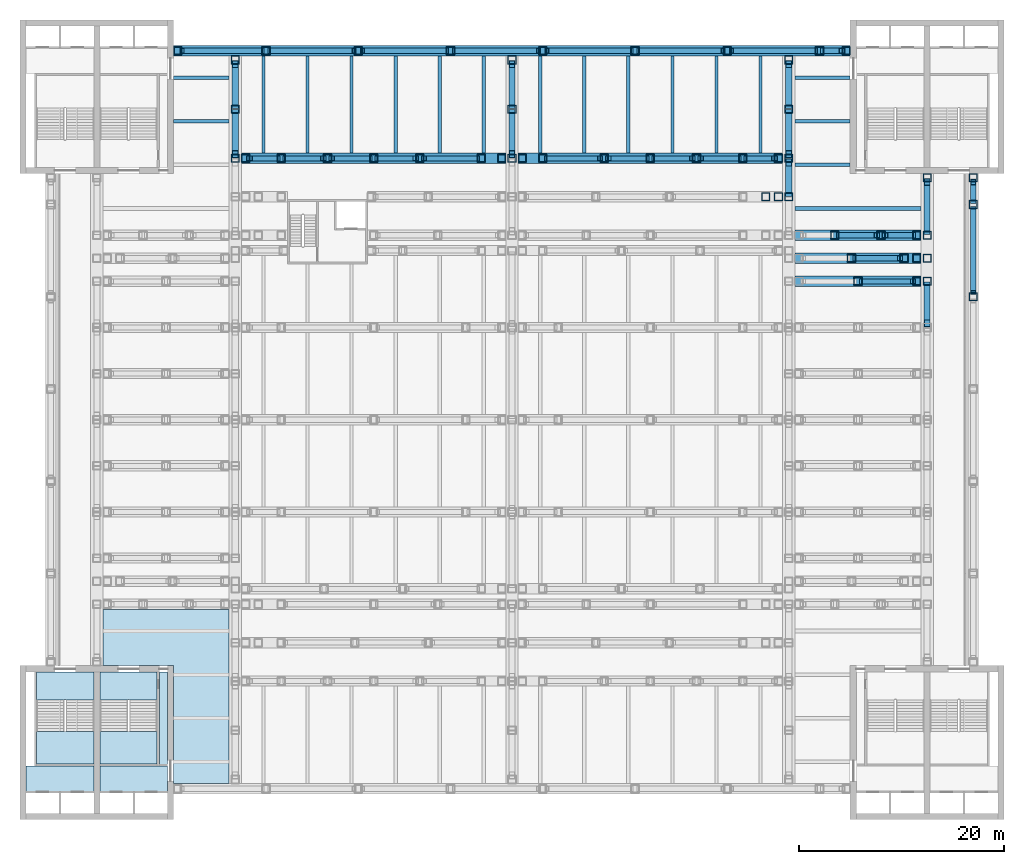
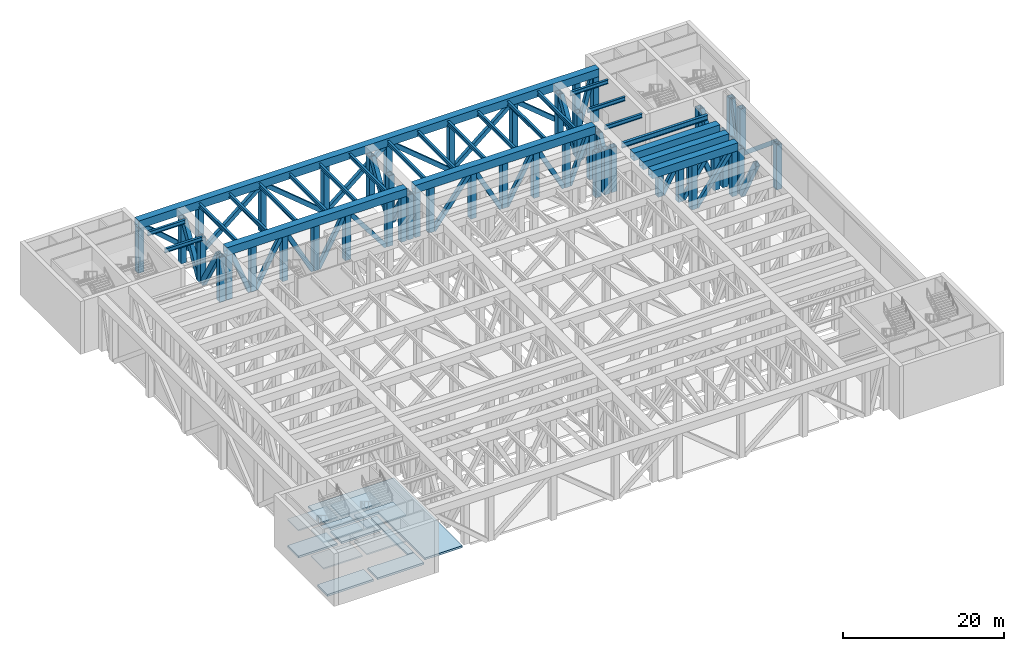
# One storey, part 5 of 20: 89 members, 18 beams, 12 slabs, 2 elements without a shape of their own.
"""IFC4 building model written with IfcOpenShell, lengths in metres."""

from ifc_helpers import new_model, si_unit, direction, frame, origin, origin_2d, place, context, subcontext, project, spatial, polyline, hollow_rectangle, i_section, outline, extrude, material, layer, layer_set, material_profile, profile_set, type_object, element, aggregate, save


model = new_model("IFC4")

# Units and contexts
model_context = context("Model", 3, precision=1e-05, world=origin(), true_north=direction((0.0, 1.0)))
body_context = subcontext(model_context, "Body", "Model", "MODEL_VIEW")
ifc_project = project(units=[si_unit("LENGTHUNIT", "METRE"), si_unit("AREAUNIT", "SQUARE_METRE"), si_unit("VOLUMEUNIT", "CUBIC_METRE"), si_unit("PLANEANGLEUNIT", "RADIAN"), si_unit("MASSUNIT", "GRAM", prefix="KILO")], contexts=[model_context])

# Site, building, storey
site_placement = place(None, origin())
site = spatial("IfcSite", under=ifc_project, at=site_placement, CompositionType="ELEMENT")
building_placement = place(site_placement, origin())
building = spatial("IfcBuilding", under=site, at=building_placement, Name="Corbelhall Arena Tower", CompositionType="ELEMENT")
storey_placement = place(building_placement, frame((0.0, 0.0, 44.0)))
storey = spatial("IfcBuildingStorey", under=building, at=storey_placement, Name="L06", CompositionType="ELEMENT", Elevation=44.0)

# Beams
ifc_material_1 = material(Name="Steel ASTM A992 Gr50", Category="steel")
ifc_material_profile_1 = material_profile(ifc_material_1, i_section(OverallWidth=0.323974609375, OverallDepth=0.611083984375, WebThickness=0.0126953125, FlangeThickness=0.01904296875, at=origin_2d()))
ifc_profile_set_1 = profile_set([ifc_material_profile_1], Name="Steel ASTM A992 Gr50")
beam_type_1 = type_object("IfcBeamType", Name="PO-BEAM-W24X104", PredefinedType="BEAM", material=ifc_profile_set_1)
for number, where, z_axis, x_axis, name in (
    (1, (-33.0, 29.125, 7.39453125), (1.0, 0.0, 0.0), (0.0, 1.0, 0.0), "DECK BEAM MID 13.3"),
    (2, (-33.0, 33.375, 7.39453125), (1.0, 0.0, 0.0), (0.0, 1.0, 0.0), "DECK BEAM MID 13.4"),
):
    element("IfcBeam", number, at=place(storey_placement, frame(where, z_axis=z_axis, x_axis=x_axis)), inside=storey, type_object=beam_type_1, Name=name, PredefinedType="BEAM", context=body_context, shape_type="SweptSolid", body=[
        extrude(i_section(OverallWidth=0.323974609375, OverallDepth=0.611083984375, WebThickness=0.0126953125, FlangeThickness=0.01904296875, at=origin_2d()), origin(), (0.0, 0.0, 1.0), 5.39990234375),
    ])
for number, where, z_axis, x_axis, name in (
    (3, (-24.25, 26.0, 7.39453125), (0.0, 1.0, 0.0), (-1.0, 0.0, 0.0), "DECK BEAM MID 24.1"),
    (4, (-19.949951171875, 26.0, 7.39453125), (0.0, 1.0, 0.0), (-1.0, 0.0, 0.0), "DECK BEAM MID 24.2"),
    (5, (-15.64990234375, 26.0, 7.39453125), (0.0, 1.0, 0.0), (-1.0, 0.0, 0.0), "DECK BEAM MID 24.3"),
    (6, (-11.35009765625, 26.0, 7.39453125), (0.0, 1.0, 0.0), (-1.0, 0.0, 0.0), "DECK BEAM MID 24.4"),
    (7, (-7.050048828125, 26.0, 7.39453125), (0.0, 1.0, 0.0), (-1.0, 0.0, 0.0), "DECK BEAM MID 24.5"),
    (8, (-2.75, 26.0, 7.39453125), (0.0, 1.0, 0.0), (-1.0, 0.0, 0.0), "DECK BEAM MID 24.6"),
    (9, (2.75, 26.0, 7.39453125), (0.0, 1.0, 0.0), (-1.0, 0.0, 0.0), "DECK BEAM MID 39.1"),
    (10, (7.050048828125, 26.0, 7.39453125), (0.0, 1.0, 0.0), (-1.0, 0.0, 0.0), "DECK BEAM MID 39.2"),
    (11, (11.35009765625, 26.0, 7.39453125), (0.0, 1.0, 0.0), (-1.0, 0.0, 0.0), "DECK BEAM MID 39.3"),
    (12, (15.64990234375, 26.0, 7.39453125), (0.0, 1.0, 0.0), (-1.0, 0.0, 0.0), "DECK BEAM MID 39.4"),
    (13, (19.949951171875, 26.0, 7.39453125), (0.0, 1.0, 0.0), (-1.0, 0.0, 0.0), "DECK BEAM MID 39.5"),
    (14, (24.25, 26.0, 7.39453125), (0.0, 1.0, 0.0), (-1.0, 0.0, 0.0), "DECK BEAM MID 39.6"),
):
    element("IfcBeam", number, at=place(storey_placement, frame(where, z_axis=z_axis, x_axis=x_axis)), inside=storey, type_object=beam_type_1, Name=name, PredefinedType="BEAM", context=body_context, shape_type="SweptSolid", body=[
        extrude(i_section(OverallWidth=0.323974609375, OverallDepth=0.611083984375, WebThickness=0.0126953125, FlangeThickness=0.01904296875, at=origin_2d()), origin(), (0.0, 0.0, 1.0), 9.5),
    ])
for number, where, z_axis, x_axis, name in (
    (15, (27.60009765625, 24.875, 7.39453125), (1.0, 0.0, 0.0), (0.0, 1.0, 0.0), "DECK BEAM MID 41.2"),
    (16, (27.60009765625, 29.125, 7.39453125), (1.0, 0.0, 0.0), (0.0, 1.0, 0.0), "DECK BEAM MID 41.3"),
    (17, (27.60009765625, 33.375, 7.39453125), (1.0, 0.0, 0.0), (0.0, 1.0, 0.0), "DECK BEAM MID 41.4"),
):
    element("IfcBeam", number, at=place(storey_placement, frame(where, z_axis=z_axis, x_axis=x_axis)), inside=storey, type_object=beam_type_1, Name=name, PredefinedType="BEAM", context=body_context, shape_type="SweptSolid", body=[
        extrude(i_section(OverallWidth=0.323974609375, OverallDepth=0.611083984375, WebThickness=0.0126953125, FlangeThickness=0.01904296875, at=origin_2d()), origin(), (0.0, 0.0, 1.0), 5.39990234375),
    ])
ifc_material_profile_2 = material_profile(ifc_material_1, i_section(OverallWidth=0.381103515625, OverallDepth=0.77294921875, WebThickness=0.0166015625, FlangeThickness=0.027099609375, at=origin_2d()))
ifc_profile_set_2 = profile_set([ifc_material_profile_2], Name="Steel ASTM A992 Gr50")
beam_type_2 = type_object("IfcBeamType", Name="PO-BEAM-W30X173", PredefinedType="BEAM", material=ifc_profile_set_2)
beam_placement = place(storey_placement, frame((27.60009765625, 20.625, 7.3134765625), z_axis=(1.0, 0.0, 0.0), x_axis=(0.0, 1.0, 0.0)))
element("IfcBeam", 18, at=beam_placement, inside=storey, type_object=beam_type_2, Name="DECK BEAM MID 41.1", PredefinedType="BEAM", context=body_context, shape_type="SweptSolid", body=[
    extrude(i_section(OverallWidth=0.381103515625, OverallDepth=0.77294921875, WebThickness=0.0166015625, FlangeThickness=0.027099609375, at=origin_2d()), origin(), (0.0, 0.0, 1.0), 12.2998046875),
])

# Members
ifc_material_2 = material(Name="Steel ASTM A572 Gr50", Category="steel")
ifc_material_profile_3 = material_profile(ifc_material_2, hollow_rectangle(XDim=0.5, YDim=0.60009765625, WallThickness=0.030029296875, at=origin_2d()))
ifc_profile_set_3 = profile_set([ifc_material_profile_3], Name="Steel ASTM A572 Gr50")
member_type_1 = type_object("IfcMemberType", Name="PO-BRACE-600X500X30", PredefinedType="BRACE", material=ifc_profile_set_3)
member_1_placement = place(storey_placement, frame((-32.199951171875, 36.0, 6.800048828125), z_axis=(0.753772430258, 0.0, -0.657135544148), x_axis=(0.0, 1.0, 0.0)))
element("IfcMember", 19, at=member_1_placement, inside=storey, type_object=member_type_1, Name="TRUSS EDGE-N BRACE 1.1", PredefinedType="BRACE", context=body_context, shape_type="SweptSolid", body=[
    extrude(hollow_rectangle(XDim=0.5, YDim=0.60009765625, WallThickness=0.030029296875, at=origin_2d()), origin(), (0.0, 0.0, 1.0), 10.347900390625),
])
for number, where, z_axis, x_axis, name in (
    (20, (-23.60009765625, 36.0, 0.0), (0.769763178873, 0.0, 0.638329576669), (0.0, 1.0, 0.0), "TRUSS EDGE-N BRACE 1.2"),
    (21, (-14.60009765625, 36.0, 6.800048828125), (0.769763178873, 0.0, -0.638329576669), (0.0, 1.0, 0.0), "TRUSS EDGE-N BRACE 1.3"),
    (22, (-5.60009765625, 36.0, 0.0), (0.769763178873, 0.0, 0.638329576669), (0.0, 1.0, 0.0), "TRUSS EDGE-N BRACE 1.4"),
    (23, (3.39990234375, 36.0, 6.800048828125), (0.769763178873, 0.0, -0.638329576669), (0.0, 1.0, 0.0), "TRUSS EDGE-N BRACE 1.5"),
    (24, (12.39990234375, 36.0, 0.0), (0.769763178873, 0.0, 0.638329576669), (0.0, 1.0, 0.0), "TRUSS EDGE-N BRACE 1.6"),
    (25, (21.39990234375, 36.0, 6.800048828125), (0.769763178873, 0.0, -0.638329576669), (0.0, 1.0, 0.0), "TRUSS EDGE-N BRACE 1.7"),
):
    element("IfcMember", number, at=place(storey_placement, frame(where, z_axis=z_axis, x_axis=x_axis)), inside=storey, type_object=member_type_1, Name=name, PredefinedType="BRACE", context=body_context, shape_type="SweptSolid", body=[
        extrude(hollow_rectangle(XDim=0.5, YDim=0.60009765625, WallThickness=0.030029296875, at=origin_2d()), origin(), (0.0, 0.0, 1.0), 10.65283203125),
    ])
member_2_placement = place(storey_placement, frame((30.39990234375, 36.0, 0.0), z_axis=(0.255897330119, 0.0, 0.966703965254), x_axis=(0.0, 1.0, 0.0)))
element("IfcMember", 26, at=member_2_placement, inside=storey, type_object=member_type_1, Name="TRUSS EDGE-N BRACE 1.8", PredefinedType="BRACE", context=body_context, shape_type="SweptSolid", body=[
    extrude(hollow_rectangle(XDim=0.5, YDim=0.60009765625, WallThickness=0.030029296875, at=origin_2d()), origin(), (0.0, 0.0, 1.0), 7.0341796875),
])
member_3_placement = place(storey_placement, frame((45.0, 12.39990234375, 6.800048828125), z_axis=(0.0, 0.769763178873, -0.638329576669), x_axis=(-1.0, 0.0, 0.0)))
element("IfcMember", 27, at=member_3_placement, inside=storey, type_object=member_type_1, Name="TRUSS EDGE-E BRACE 1.5", PredefinedType="BRACE", context=body_context, shape_type="SweptSolid", body=[
    extrude(hollow_rectangle(XDim=0.5, YDim=0.60009765625, WallThickness=0.030029296875, at=origin_2d()), origin(), (0.0, 0.0, 1.0), 10.65283203125),
])
member_4_placement = place(storey_placement, frame((45.0, 21.39990234375, 0.0), z_axis=(0.0, 0.255897330119, 0.966703965254), x_axis=(-1.0, 0.0, 0.0)))
element("IfcMember", 28, at=member_4_placement, inside=storey, type_object=member_type_1, Name="TRUSS EDGE-E BRACE 1.6", PredefinedType="BRACE", context=body_context, shape_type="SweptSolid", body=[
    extrude(hollow_rectangle(XDim=0.5, YDim=0.60009765625, WallThickness=0.030029296875, at=origin_2d()), origin(), (0.0, 0.0, 1.0), 7.0341796875),
])
member_5_placement = place(storey_placement, frame((34.14990234375, 13.5, 0.0), z_axis=(0.588537525925, 0.0, 0.808469900848), x_axis=(0.0, 1.0, 0.0)))
element("IfcMember", 29, at=member_5_placement, inside=storey, type_object=member_type_1, Name="TRUSS SEC-N13.50-3 BRACE 1.2", PredefinedType="BRACE", context=body_context, shape_type="SweptSolid", body=[
    extrude(hollow_rectangle(XDim=0.5, YDim=0.60009765625, WallThickness=0.030029296875, at=origin_2d()), origin(), (0.0, 0.0, 1.0), 8.410888671875),
])
member_6_placement = place(storey_placement, frame((33.52490234375, 15.75, 0.0), z_axis=(0.536689259852, 0.0, 0.843779970347), x_axis=(0.0, 1.0, 0.0)))
element("IfcMember", 30, at=member_6_placement, inside=storey, type_object=member_type_1, Name="TRUSS SEC-N15.75-3 BRACE 1.2", PredefinedType="BRACE", context=body_context, shape_type="SweptSolid", body=[
    extrude(hollow_rectangle(XDim=0.5, YDim=0.60009765625, WallThickness=0.030029296875, at=origin_2d()), origin(), (0.0, 0.0, 1.0), 8.05908203125),
])
member_7_placement = place(storey_placement, frame((31.89990234375, 18.0, 0.0), z_axis=(0.477963647565, 0.0, 0.878379617026), x_axis=(0.0, 1.0, 0.0)))
element("IfcMember", 31, at=member_7_placement, inside=storey, type_object=member_type_1, Name="TRUSS SEC-N18.00-3 BRACE 1.2", PredefinedType="BRACE", context=body_context, shape_type="SweptSolid", body=[
    extrude(hollow_rectangle(XDim=0.5, YDim=0.60009765625, WallThickness=0.030029296875, at=origin_2d()), origin(), (0.0, 0.0, 1.0), 7.74169921875),
])
for number, where, z_axis, x_axis, name in (
    (32, (36.39990234375, 18.0, 6.800048828125), (0.369053718093, 0.0, -0.929408066008), (0.0, 1.0, 0.0), "TRUSS SEC-N18.00-3 BRACE 1.3"),
    (33, (-25.60009765625, 25.5, 6.800048828125), (0.369053718093, 0.0, -0.929408066008), (0.0, 1.0, 0.0), "TRUSS SEC-N25.50-1 BRACE 1.1"),
):
    element("IfcMember", number, at=place(storey_placement, frame(where, z_axis=z_axis, x_axis=x_axis)), inside=storey, type_object=member_type_1, Name=name, PredefinedType="BRACE", context=body_context, shape_type="SweptSolid", body=[
        extrude(hollow_rectangle(XDim=0.5, YDim=0.60009765625, WallThickness=0.030029296875, at=origin_2d()), origin(), (0.0, 0.0, 1.0), 7.316650390625),
    ])
for number, where, z_axis, x_axis, name in (
    (34, (-22.10009765625, 25.5, 0.0), (0.477963647565, 0.0, 0.878379617026), (0.0, 1.0, 0.0), "TRUSS SEC-N25.50-1 BRACE 1.2"),
    (35, (-17.60009765625, 25.5, 6.800048828125), (0.477963647565, 0.0, -0.878379617026), (0.0, 1.0, 0.0), "TRUSS SEC-N25.50-1 BRACE 1.3"),
    (36, (-13.10009765625, 25.5, 0.0), (0.477963647565, 0.0, 0.878379617026), (0.0, 1.0, 0.0), "TRUSS SEC-N25.50-1 BRACE 1.4"),
):
    element("IfcMember", number, at=place(storey_placement, frame(where, z_axis=z_axis, x_axis=x_axis)), inside=storey, type_object=member_type_1, Name=name, PredefinedType="BRACE", context=body_context, shape_type="SweptSolid", body=[
        extrude(hollow_rectangle(XDim=0.5, YDim=0.60009765625, WallThickness=0.030029296875, at=origin_2d()), origin(), (0.0, 0.0, 1.0), 7.74169921875),
    ])
for number, where, z_axis, x_axis, name in (
    (37, (-8.60009765625, 25.5, 6.800048828125), (0.607461751861, 0.0, -0.794348928385), (0.0, 1.0, 0.0), "TRUSS SEC-N25.50-1 BRACE 1.5"),
    (38, (3.39990234375, 25.5, 0.0), (0.607461751861, 0.0, 0.794348928385), (0.0, 1.0, 0.0), "TRUSS SEC-N25.50-2 BRACE 1.2"),
):
    element("IfcMember", number, at=place(storey_placement, frame(where, z_axis=z_axis, x_axis=x_axis)), inside=storey, type_object=member_type_1, Name=name, PredefinedType="BRACE", context=body_context, shape_type="SweptSolid", body=[
        extrude(hollow_rectangle(XDim=0.5, YDim=0.60009765625, WallThickness=0.030029296875, at=origin_2d()), origin(), (0.0, 0.0, 1.0), 8.560546875),
    ])
for number, where, z_axis, x_axis, name in (
    (39, (9.39990234375, 25.5, 6.800048828125), (0.477963647565, 0.0, -0.878379617026), (0.0, 1.0, 0.0), "TRUSS SEC-N25.50-2 BRACE 1.3"),
    (40, (13.89990234375, 25.5, 0.0), (0.477963647565, 0.0, 0.878379617026), (0.0, 1.0, 0.0), "TRUSS SEC-N25.50-2 BRACE 1.4"),
    (41, (18.39990234375, 25.5, 6.800048828125), (0.477963647565, 0.0, -0.878379617026), (0.0, 1.0, 0.0), "TRUSS SEC-N25.50-2 BRACE 1.5"),
):
    element("IfcMember", number, at=place(storey_placement, frame(where, z_axis=z_axis, x_axis=x_axis)), inside=storey, type_object=member_type_1, Name=name, PredefinedType="BRACE", context=body_context, shape_type="SweptSolid", body=[
        extrude(hollow_rectangle(XDim=0.5, YDim=0.60009765625, WallThickness=0.030029296875, at=origin_2d()), origin(), (0.0, 0.0, 1.0), 7.74169921875),
    ])
member_8_placement = place(storey_placement, frame((22.89990234375, 25.5, 0.0), z_axis=(0.369053718093, 0.0, 0.929408066008), x_axis=(0.0, 1.0, 0.0)))
element("IfcMember", 42, at=member_8_placement, inside=storey, type_object=member_type_1, Name="TRUSS SEC-N25.50-2 BRACE 1.6", PredefinedType="BRACE", context=body_context, shape_type="SweptSolid", body=[
    extrude(hollow_rectangle(XDim=0.5, YDim=0.60009765625, WallThickness=0.030029296875, at=origin_2d()), origin(), (0.0, 0.0, 1.0), 7.316650390625),
])
ifc_material_profile_4 = material_profile(ifc_material_2, hollow_rectangle(XDim=0.60009765625, YDim=0.800048828125, WallThickness=0.0400390625, at=origin_2d()))
ifc_profile_set_4 = profile_set([ifc_material_profile_4], Name="Steel ASTM A572 Gr50")
member_type_2 = type_object("IfcMemberType", Name="PO-BRACE-800X600X40", PredefinedType="BRACE", material=ifc_profile_set_4)
for number, where, z_axis, x_axis, name in (
    (43, (-27.0, 25.89990234375, 6.800048828125), (0.0, 0.507017421779, -0.861935806202), (-1.0, 0.0, 0.0), "TRUSS PRI--27.0 BRACE 1.19"),
    (44, (-27.0, 30.699951171875, 0.0), (0.0, 0.507017421779, 0.861935806202), (-1.0, 0.0, 0.0), "TRUSS PRI--27.0 BRACE 1.20"),
    (45, (0.0, 25.89990234375, 6.800048828125), (0.0, 0.507017421779, -0.861935806202), (-1.0, 0.0, 0.0), "TRUSS PRI-+0.0 BRACE 1.13"),
    (46, (0.0, 30.699951171875, 0.0), (0.0, 0.507017421779, 0.861935806202), (-1.0, 0.0, 0.0), "TRUSS PRI-+0.0 BRACE 1.14"),
):
    element("IfcMember", number, at=place(storey_placement, frame(where, z_axis=z_axis, x_axis=x_axis)), inside=storey, type_object=member_type_2, Name=name, PredefinedType="BRACE", context=body_context, shape_type="SweptSolid", body=[
        extrude(hollow_rectangle(XDim=0.60009765625, YDim=0.800048828125, WallThickness=0.0400390625, at=origin_2d()), origin(), (0.0, 0.0, 1.0), 7.88916015625),
    ])
member_9_placement = place(storey_placement, frame((27.0, 22.14990234375, 0.0), z_axis=(0.0, 0.398005781953, 0.917382906715), x_axis=(-1.0, 0.0, 0.0)))
element("IfcMember", 47, at=member_9_placement, inside=storey, type_object=member_type_2, Name="TRUSS PRI-+27.0 BRACE 1.18", PredefinedType="BRACE", context=body_context, shape_type="SweptSolid", body=[
    extrude(hollow_rectangle(XDim=0.60009765625, YDim=0.800048828125, WallThickness=0.0400390625, at=origin_2d()), origin(), (0.0, 0.0, 1.0), 7.412353515625),
])
for number, where, z_axis, x_axis, name in (
    (48, (27.0, 25.89990234375, 6.800048828125), (0.0, 0.507017421779, -0.861935806202), (-1.0, 0.0, 0.0), "TRUSS PRI-+27.0 BRACE 1.19"),
    (49, (27.0, 30.699951171875, 0.0), (0.0, 0.507017421779, 0.861935806202), (-1.0, 0.0, 0.0), "TRUSS PRI-+27.0 BRACE 1.20"),
):
    element("IfcMember", number, at=place(storey_placement, frame(where, z_axis=z_axis, x_axis=x_axis)), inside=storey, type_object=member_type_2, Name=name, PredefinedType="BRACE", context=body_context, shape_type="SweptSolid", body=[
        extrude(hollow_rectangle(XDim=0.60009765625, YDim=0.800048828125, WallThickness=0.0400390625, at=origin_2d()), origin(), (0.0, 0.0, 1.0), 7.88916015625),
    ])
member_10_placement = place(storey_placement, frame((40.5, 9.39990234375, 6.800048828125), z_axis=(0.0, 0.477963647565, -0.878379617026), x_axis=(-1.0, 0.0, 0.0)))
element("IfcMember", 50, at=member_10_placement, inside=storey, type_object=member_type_2, Name="TRUSS PRI-+40.5 BRACE 1.9", PredefinedType="BRACE", context=body_context, shape_type="SweptSolid", body=[
    extrude(hollow_rectangle(XDim=0.60009765625, YDim=0.800048828125, WallThickness=0.0400390625, at=origin_2d()), origin(), (0.0, 0.0, 1.0), 7.74169921875),
])
member_11_placement = place(storey_placement, frame((40.5, 18.39990234375, 0.0), z_axis=(0.0, 0.576684349177, 0.816967050385), x_axis=(-1.0, 0.0, 0.0)))
element("IfcMember", 51, at=member_11_placement, inside=storey, type_object=member_type_2, Name="TRUSS PRI-+40.5 BRACE 1.12", PredefinedType="BRACE", context=body_context, shape_type="SweptSolid", body=[
    extrude(hollow_rectangle(XDim=0.60009765625, YDim=0.800048828125, WallThickness=0.0400390625, at=origin_2d()), origin(), (0.0, 0.0, 1.0), 8.323486328125),
])
ifc_material_profile_5 = material_profile(ifc_material_2, hollow_rectangle(XDim=1.0, YDim=1.199951171875, WallThickness=0.06005859375, at=origin_2d()))
ifc_profile_set_5 = profile_set([ifc_material_profile_5], Name="Steel ASTM A572 Gr50")
member_type_3 = type_object("IfcMemberType", Name="PO-CHORD-1200X1000X60", PredefinedType="CHORD", material=ifc_profile_set_5)
member_12_placement = place(storey_placement, frame((-33.0, 36.0, 7.39990234375), z_axis=(1.0, 0.0, 0.0), x_axis=(0.0, 1.0, 0.0)))
element("IfcMember", 52, at=member_12_placement, inside=storey, type_object=member_type_3, Name="TRUSS EDGE-N MID CHORD", PredefinedType="CHORD", context=body_context, shape_type="SweptSolid", body=[
    extrude(hollow_rectangle(XDim=1.0, YDim=1.199951171875, WallThickness=0.06005859375, at=origin_2d()), origin(), (0.0, 0.0, 1.0), 66.0),
])
for number, where, z_axis, x_axis, name in (
    (53, (27.60009765625, 13.5, 7.39990234375), (1.0, 0.0, 0.0), (0.0, 1.0, 0.0), "TRUSS SEC-N13.50-3 MID CHORD"),
    (54, (27.60009765625, 15.75, 7.39990234375), (1.0, 0.0, 0.0), (0.0, 1.0, 0.0), "TRUSS SEC-N15.75-3 MID CHORD"),
    (55, (27.60009765625, 18.0, 7.39990234375), (1.0, 0.0, 0.0), (0.0, 1.0, 0.0), "TRUSS SEC-N18.00-3 MID CHORD"),
):
    element("IfcMember", number, at=place(storey_placement, frame(where, z_axis=z_axis, x_axis=x_axis)), inside=storey, type_object=member_type_3, Name=name, PredefinedType="CHORD", context=body_context, shape_type="SweptSolid", body=[
        extrude(hollow_rectangle(XDim=1.0, YDim=1.199951171875, WallThickness=0.06005859375, at=origin_2d()), origin(), (0.0, 0.0, 1.0), 12.2998046875),
    ])
for number, where, z_axis, x_axis, name in (
    (56, (-26.39990234375, 25.5, 7.39990234375), (1.0, 0.0, 0.0), (0.0, 1.0, 0.0), "TRUSS SEC-N25.50-1 MID CHORD"),
    (57, (0.60009765625, 25.5, 7.39990234375), (1.0, 0.0, 0.0), (0.0, 1.0, 0.0), "TRUSS SEC-N25.50-2 MID CHORD"),
):
    element("IfcMember", number, at=place(storey_placement, frame(where, z_axis=z_axis, x_axis=x_axis)), inside=storey, type_object=member_type_3, Name=name, PredefinedType="CHORD", context=body_context, shape_type="SweptSolid", body=[
        extrude(hollow_rectangle(XDim=1.0, YDim=1.199951171875, WallThickness=0.06005859375, at=origin_2d()), origin(), (0.0, 0.0, 1.0), 25.7998046875),
    ])
ifc_material_profile_6 = material_profile(ifc_material_2, hollow_rectangle(XDim=0.800048828125, YDim=0.800048828125, WallThickness=0.050048828125, at=origin_2d()))
ifc_profile_set_6 = profile_set([ifc_material_profile_6], Name="Steel ASTM A572 Gr50")
member_type_4 = type_object("IfcMemberType", Name="PO-POST-800", PredefinedType="POST", material=ifc_profile_set_6)
for number, where, z_axis, x_axis, name in (
    (58, (-32.60009765625, 36.0, 0.0), (0.0, 0.0, 1.0), (1.0, 0.0, 0.0), "TRUSS EDGE-N POST 1.1"),
    (59, (-24.0, 36.0, 0.0), (0.0, 0.0, 1.0), (1.0, 0.0, 0.0), "TRUSS EDGE-N POST 1.2"),
    (60, (-15.0, 36.0, 0.0), (0.0, 0.0, 1.0), (1.0, 0.0, 0.0), "TRUSS EDGE-N POST 1.3"),
    (61, (-6.0, 36.0, 0.0), (0.0, 0.0, 1.0), (1.0, 0.0, 0.0), "TRUSS EDGE-N POST 1.4"),
    (62, (3.0, 36.0, 0.0), (0.0, 0.0, 1.0), (1.0, 0.0, 0.0), "TRUSS EDGE-N POST 1.5"),
    (63, (12.0, 36.0, 0.0), (0.0, 0.0, 1.0), (1.0, 0.0, 0.0), "TRUSS EDGE-N POST 1.6"),
    (64, (21.0, 36.0, 0.0), (0.0, 0.0, 1.0), (1.0, 0.0, 0.0), "TRUSS EDGE-N POST 1.7"),
    (65, (30.0, 36.0, 0.0), (0.0, 0.0, 1.0), (1.0, 0.0, 0.0), "TRUSS EDGE-N POST 1.8"),
    (66, (32.60009765625, 36.0, 0.0), (0.0, 0.0, 1.0), (1.0, 0.0, 0.0), "TRUSS EDGE-N POST 1.9"),
    (67, (45.0, 12.0, 0.0), (0.0, 0.0, 1.0), (1.0, 0.0, 0.0), "TRUSS EDGE-E POST 1.5"),
    (68, (45.0, 21.0, 0.0), (0.0, 0.0, 1.0), (1.0, 0.0, 0.0), "TRUSS EDGE-E POST 1.6"),
    (69, (45.0, 23.60009765625, 0.0), (0.0, 0.0, 1.0), (1.0, 0.0, 0.0), "TRUSS EDGE-E POST 1.7"),
    (70, (33.75, 13.5, 0.0), (0.0, 0.0, 1.0), (1.0, 0.0, 0.0), "TRUSS SEC-N13.50-3 POST 1.2"),
    (71, (39.5, 13.5, 0.0), (0.0, 0.0, 1.0), (1.0, 0.0, 0.0), "TRUSS SEC-N13.50-3 POST 1.3"),
    (72, (33.125, 15.75, 0.0), (0.0, 0.0, 1.0), (1.0, 0.0, 0.0), "TRUSS SEC-N15.75-3 POST 1.2"),
    (73, (38.25, 15.75, 0.0), (0.0, 0.0, 1.0), (1.0, 0.0, 0.0), "TRUSS SEC-N15.75-3 POST 1.3"),
    (74, (39.5, 15.75, 0.0), (0.0, 0.0, 1.0), (1.0, 0.0, 0.0), "TRUSS SEC-N15.75-3 POST 1.4"),
    (75, (31.5, 18.0, 0.0), (0.0, 0.0, 1.0), (1.0, 0.0, 0.0), "TRUSS SEC-N18.00-3 POST 1.2"),
    (76, (36.0, 18.0, 0.0), (0.0, 0.0, 1.0), (1.0, 0.0, 0.0), "TRUSS SEC-N18.00-3 POST 1.3"),
    (77, (39.5, 18.0, 0.0), (0.0, 0.0, 1.0), (1.0, 0.0, 0.0), "TRUSS SEC-N18.00-3 POST 1.4"),
    (78, (24.75, 21.75, 0.0), (0.0, 0.0, 1.0), (1.0, 0.0, 0.0), "TRUSS SEC-N21.75-2 POST 1.5"),
    (79, (26.0, 21.75, 0.0), (0.0, 0.0, 1.0), (1.0, 0.0, 0.0), "TRUSS SEC-N21.75-2 POST 1.6"),
    (80, (-26.0, 25.5, 0.0), (0.0, 0.0, 1.0), (1.0, 0.0, 0.0), "TRUSS SEC-N25.50-1 POST 1.1"),
    (81, (-22.5, 25.5, 0.0), (0.0, 0.0, 1.0), (1.0, 0.0, 0.0), "TRUSS SEC-N25.50-1 POST 1.2"),
    (82, (-18.0, 25.5, 0.0), (0.0, 0.0, 1.0), (1.0, 0.0, 0.0), "TRUSS SEC-N25.50-1 POST 1.3"),
    (83, (-13.5, 25.5, 0.0), (0.0, 0.0, 1.0), (1.0, 0.0, 0.0), "TRUSS SEC-N25.50-1 POST 1.4"),
    (84, (-9.0, 25.5, 0.0), (0.0, 0.0, 1.0), (1.0, 0.0, 0.0), "TRUSS SEC-N25.50-1 POST 1.5"),
    (85, (-3.0, 25.5, 0.0), (0.0, 0.0, 1.0), (1.0, 0.0, 0.0), "TRUSS SEC-N25.50-1 POST 1.6"),
    (86, (-1.0, 25.5, 0.0), (0.0, 0.0, 1.0), (1.0, 0.0, 0.0), "TRUSS SEC-N25.50-1 POST 1.7"),
    (87, (1.0, 25.5, 0.0), (0.0, 0.0, 1.0), (1.0, 0.0, 0.0), "TRUSS SEC-N25.50-2 POST 1.1"),
    (88, (3.0, 25.5, 0.0), (0.0, 0.0, 1.0), (1.0, 0.0, 0.0), "TRUSS SEC-N25.50-2 POST 1.2"),
    (89, (9.0, 25.5, 0.0), (0.0, 0.0, 1.0), (1.0, 0.0, 0.0), "TRUSS SEC-N25.50-2 POST 1.3"),
    (90, (13.5, 25.5, 0.0), (0.0, 0.0, 1.0), (1.0, 0.0, 0.0), "TRUSS SEC-N25.50-2 POST 1.4"),
    (91, (18.0, 25.5, 0.0), (0.0, 0.0, 1.0), (1.0, 0.0, 0.0), "TRUSS SEC-N25.50-2 POST 1.5"),
    (92, (22.5, 25.5, 0.0), (0.0, 0.0, 1.0), (1.0, 0.0, 0.0), "TRUSS SEC-N25.50-2 POST 1.6"),
    (93, (26.0, 25.5, 0.0), (0.0, 0.0, 1.0), (1.0, 0.0, 0.0), "TRUSS SEC-N25.50-2 POST 1.7"),
    (94, (-27.0, 25.5, 0.0), (0.0, 0.0, 1.0), (1.0, 0.0, 0.0), "TRUSS PRI--27.0 POST 1.19"),
    (95, (-27.0, 30.300048828125, 0.0), (0.0, 0.0, 1.0), (1.0, 0.0, 0.0), "TRUSS PRI--27.0 POST 1.20"),
    (96, (-27.0, 35.10009765625, 0.0), (0.0, 0.0, 1.0), (1.0, 0.0, 0.0), "TRUSS PRI--27.0 POST 1.21"),
    (97, (0.0, 25.5, 0.0), (0.0, 0.0, 1.0), (1.0, 0.0, 0.0), "TRUSS PRI-+0.0 POST 1.13"),
    (98, (0.0, 30.300048828125, 0.0), (0.0, 0.0, 1.0), (1.0, 0.0, 0.0), "TRUSS PRI-+0.0 POST 1.14"),
    (99, (0.0, 35.10009765625, 0.0), (0.0, 0.0, 1.0), (1.0, 0.0, 0.0), "TRUSS PRI-+0.0 POST 1.15"),
    (100, (27.0, 21.75, 0.0), (0.0, 0.0, 1.0), (1.0, 0.0, 0.0), "TRUSS PRI-+27.0 POST 1.18"),
    (101, (27.0, 25.5, 0.0), (0.0, 0.0, 1.0), (1.0, 0.0, 0.0), "TRUSS PRI-+27.0 POST 1.19"),
    (102, (27.0, 30.300048828125, 0.0), (0.0, 0.0, 1.0), (1.0, 0.0, 0.0), "TRUSS PRI-+27.0 POST 1.20"),
    (103, (27.0, 35.10009765625, 0.0), (0.0, 0.0, 1.0), (1.0, 0.0, 0.0), "TRUSS PRI-+27.0 POST 1.21"),
    (104, (40.5, 13.5, 0.0), (0.0, 0.0, 1.0), (1.0, 0.0, 0.0), "TRUSS PRI-+40.5 POST 1.10"),
    (105, (40.5, 15.75, 0.0), (0.0, 0.0, 1.0), (1.0, 0.0, 0.0), "TRUSS PRI-+40.5 POST 1.11"),
    (106, (40.5, 18.0, 0.0), (0.0, 0.0, 1.0), (1.0, 0.0, 0.0), "TRUSS PRI-+40.5 POST 1.12"),
    (107, (40.5, 23.60009765625, 0.0), (0.0, 0.0, 1.0), (1.0, 0.0, 0.0), "TRUSS PRI-+40.5 POST 1.13"),
):
    element("IfcMember", number, at=place(storey_placement, frame(where, z_axis=z_axis, x_axis=x_axis)), inside=storey, type_object=member_type_4, Name=name, PredefinedType="POST", context=body_context, shape_type="SweptSolid", body=[
        extrude(hollow_rectangle(XDim=0.800048828125, YDim=0.800048828125, WallThickness=0.050048828125, at=origin_2d()), origin(), (0.0, 0.0, 1.0), 6.800048828125),
    ])

# Stair, slabs
ifc_material_3 = material(Name="Reinforced concrete C40/50", Category="concrete")
stair_type = type_object("IfcStairType", Name="AR-EXIT-STAIR", PredefinedType="HALF_TURN_STAIR", material=ifc_material_3)
stair_1_placement = place(storey_placement, origin())
stair_1 = element("IfcStair", 108, at=stair_1_placement, inside=storey, type_object=stair_type, Name="L06 exit stair AS7", PredefinedType="HALF_TURN_STAIR")
ifc_layer_1 = layer(ifc_material_3, 0.199951171875)
ifc_layer_set_1 = layer_set([ifc_layer_1], Name="AR-EXIT-LANDING")
slab_type_1 = type_object("IfcSlabType", Name="AR-EXIT-LANDING", PredefinedType="LANDING", material=ifc_layer_set_1)
slab_1_placement = place(storey_placement, frame((0.0, 0.0, 1.800048828125)))
slab_1 = element("IfcSlab", 109, at=slab_1_placement, type_object=slab_type_1, Name="AS7 landing 1", PredefinedType="LANDING", context=body_context, shape_type="SweptSolid", body=[
    extrude(outline(polyline([(-40.199951171875, -30.39990234375), (-40.199951171875, -33.60009765625), (-34.610107421875, -33.60009765625), (-34.610107421875, -30.39990234375), (-40.199951171875, -30.39990234375)])), origin(), (0.0, 0.0, 1.0), 0.199951171875),
])
slab_2_placement = place(storey_placement, frame((0.0, 0.0, 3.800048828125)))
slab_2 = element("IfcSlab", 110, at=slab_2_placement, type_object=slab_type_1, Name="AS7 landing 2", PredefinedType="LANDING", context=body_context, shape_type="SweptSolid", body=[
    extrude(outline(polyline([(-40.199951171875, -24.60009765625), (-40.199951171875, -27.320068359375), (-34.610107421875, -27.320068359375), (-34.610107421875, -24.60009765625), (-40.199951171875, -24.60009765625)])), origin(), (0.0, 0.0, 1.0), 0.199951171875),
])
slab_3_placement = place(storey_placement, frame((0.0, 0.0, 5.800048828125)))
slab_3 = element("IfcSlab", 111, at=slab_3_placement, type_object=slab_type_1, Name="AS7 landing 3", PredefinedType="LANDING", context=body_context, shape_type="SweptSolid", body=[
    extrude(outline(polyline([(-40.199951171875, -30.39990234375), (-40.199951171875, -33.60009765625), (-34.610107421875, -33.60009765625), (-34.610107421875, -30.39990234375), (-40.199951171875, -30.39990234375)])), origin(), (0.0, 0.0, 1.0), 0.199951171875),
])
aggregate(stair_1, [slab_1, slab_2, slab_3])

stair_2_placement = place(storey_placement, origin())
stair_2 = element("IfcStair", 112, at=stair_2_placement, inside=storey, type_object=stair_type, Name="L06 exit stair AS8", PredefinedType="HALF_TURN_STAIR")
slab_4_placement = place(storey_placement, frame((0.0, 0.0, 1.800048828125)))
slab_4 = element("IfcSlab", 113, at=slab_4_placement, type_object=slab_type_1, Name="AS8 landing 1", PredefinedType="LANDING", context=body_context, shape_type="SweptSolid", body=[
    extrude(outline(polyline([(-46.389892578125, -30.39990234375), (-46.389892578125, -33.60009765625), (-40.800048828125, -33.60009765625), (-40.800048828125, -30.39990234375), (-46.389892578125, -30.39990234375)])), origin(), (0.0, 0.0, 1.0), 0.199951171875),
])
slab_5_placement = place(storey_placement, frame((0.0, 0.0, 3.800048828125)))
slab_5 = element("IfcSlab", 114, at=slab_5_placement, type_object=slab_type_1, Name="AS8 landing 2", PredefinedType="LANDING", context=body_context, shape_type="SweptSolid", body=[
    extrude(outline(polyline([(-46.389892578125, -24.60009765625), (-46.389892578125, -27.320068359375), (-40.800048828125, -27.320068359375), (-40.800048828125, -24.60009765625), (-46.389892578125, -24.60009765625)])), origin(), (0.0, 0.0, 1.0), 0.199951171875),
])
slab_6_placement = place(storey_placement, frame((0.0, 0.0, 5.800048828125)))
slab_6 = element("IfcSlab", 115, at=slab_6_placement, type_object=slab_type_1, Name="AS8 landing 3", PredefinedType="LANDING", context=body_context, shape_type="SweptSolid", body=[
    extrude(outline(polyline([(-46.389892578125, -30.39990234375), (-46.389892578125, -33.60009765625), (-40.800048828125, -33.60009765625), (-40.800048828125, -30.39990234375), (-46.389892578125, -30.39990234375)])), origin(), (0.0, 0.0, 1.0), 0.199951171875),
])
aggregate(stair_2, [slab_4, slab_5, slab_6])

# Slabs
ifc_layer_2 = layer(ifc_material_3, 0.300048828125)
ifc_layer_set_2 = layer_set([ifc_layer_2], Name="AR-STAIR-FLOOR")
slab_type_2 = type_object("IfcSlabType", Name="AR-STAIR-FLOOR", PredefinedType="FLOOR", material=ifc_layer_set_2)
slab_7_placement = place(storey_placement, frame((0.0, 0.0, -0.300048828125)))
element("IfcSlab", 116, at=slab_7_placement, inside=storey, type_object=slab_type_2, Name="Stair AS7 floor", PredefinedType="FLOOR", context=body_context, shape_type="SweptSolid", body=[
    extrude(outline(polyline([(-40.199951171875, -24.60009765625), (-34.610107421875, -24.60009765625), (-34.610107421875, -27.322998046875), (-40.199951171875, -27.322998046875), (-40.199951171875, -24.60009765625)])), origin(), (0.0, 0.0, 1.0), 0.300048828125),
])
slab_8_placement = place(storey_placement, frame((0.0, 0.0, -0.300048828125)))
element("IfcSlab", 117, at=slab_8_placement, inside=storey, type_object=slab_type_2, Name="Stair AS8 floor", PredefinedType="FLOOR", context=body_context, shape_type="SweptSolid", body=[
    extrude(outline(polyline([(-46.389892578125, -24.60009765625), (-40.800048828125, -24.60009765625), (-40.800048828125, -27.322998046875), (-46.389892578125, -27.322998046875), (-46.389892578125, -24.60009765625)])), origin(), (0.0, 0.0, 1.0), 0.300048828125),
])
slab_9_placement = place(storey_placement, frame((0.0, 0.0, -0.300048828125)))
element("IfcSlab", 118, at=slab_9_placement, inside=storey, type_object=slab_type_2, Name="Lift lobby floor SW", PredefinedType="FLOOR", context=body_context, shape_type="SweptSolid", body=[
    extrude(outline(polyline([(-40.800048828125, -36.300048828125), (-40.800048828125, -33.800048828125), (-47.39990234375, -33.800048828125), (-47.39990234375, -36.300048828125), (-40.800048828125, -36.300048828125)])), origin(), (0.0, 0.0, 1.0), 0.300048828125),
])
slab_10_placement = place(storey_placement, frame((0.0, 0.0, -0.300048828125)))
element("IfcSlab", 119, at=slab_10_placement, inside=storey, type_object=slab_type_2, Name="Lift lobby floor SW", PredefinedType="FLOOR", context=body_context, shape_type="SweptSolid", body=[
    extrude(outline(polyline([(-33.60009765625, -36.300048828125), (-33.60009765625, -33.800048828125), (-40.199951171875, -33.800048828125), (-40.199951171875, -36.300048828125), (-33.60009765625, -36.300048828125)])), origin(), (0.0, 0.0, 1.0), 0.300048828125),
])
slab_11_placement = place(storey_placement, frame((0.0, 0.0, -0.300048828125)))
element("IfcSlab", 120, at=slab_11_placement, inside=storey, type_object=slab_type_2, Name="Mechanical plant room 04 floor", PredefinedType="FLOOR", context=body_context, shape_type="SweptSolid", body=[
    extrude(outline(polyline([(-33.60009765625, -33.699951171875), (-33.60009765625, -24.60009765625), (-34.409912109375, -24.60009765625), (-34.409912109375, -33.699951171875), (-33.60009765625, -33.699951171875)])), origin(), (0.0, 0.0, 1.0), 0.300048828125),
])
ifc_material_4 = material(Name="Concrete C32/40", Category="concrete")
ifc_layer_3 = layer(ifc_material_4, 0.300048828125)
ifc_layer_set_3 = layer_set([ifc_layer_3], Name="PO-DECK-FLOOR")
slab_type_3 = type_object("IfcSlabType", Name="PO-DECK-FLOOR", PredefinedType="FLOOR", material=ifc_layer_set_3)
slab_12_placement = place(storey_placement, frame((0.0, 0.0, -0.300048828125)))
element("IfcSlab", 121, at=slab_12_placement, inside=storey, type_object=slab_type_3, Name="DECK BOT 12", PredefinedType="FLOOR", context=body_context, shape_type="SweptSolid", body=[
    extrude(outline(polyline([(-27.60009765625, -18.5), (-27.60009765625, -35.5), (-33.0, -35.5), (-33.0, -24.0), (-39.89990234375, -24.0), (-39.89990234375, -18.5), (-27.60009765625, -18.5)])), origin(), (0.0, 0.0, 1.0), 0.300048828125),
])

save(model, "model.ifc")
